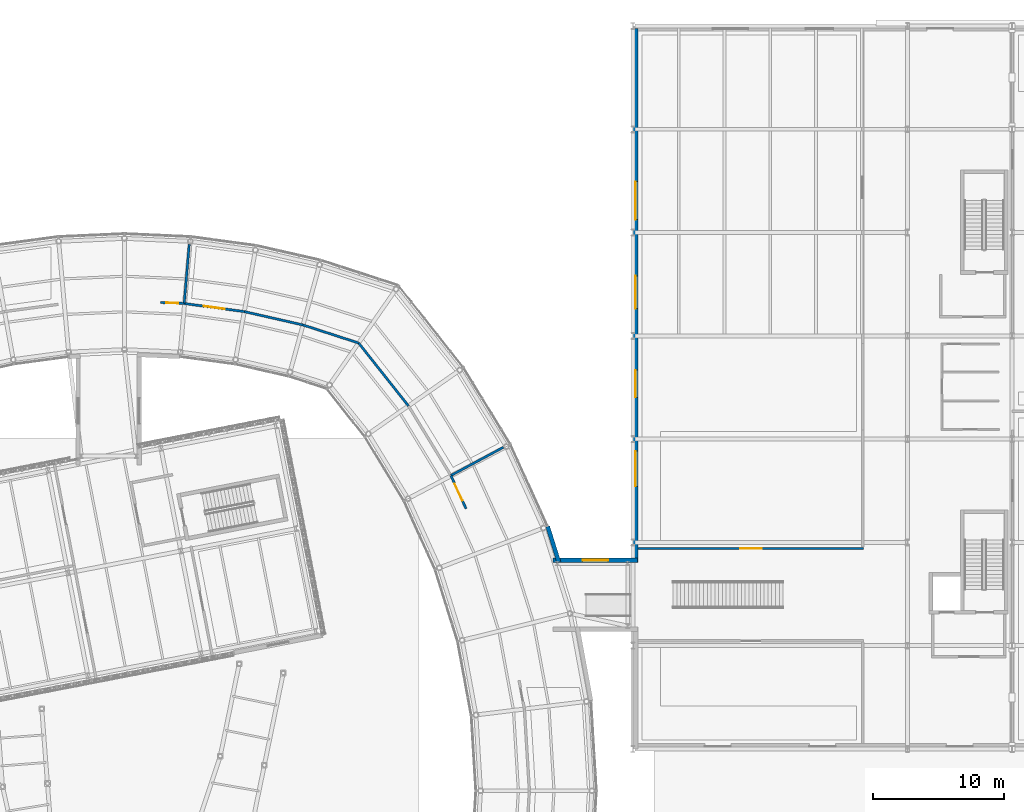
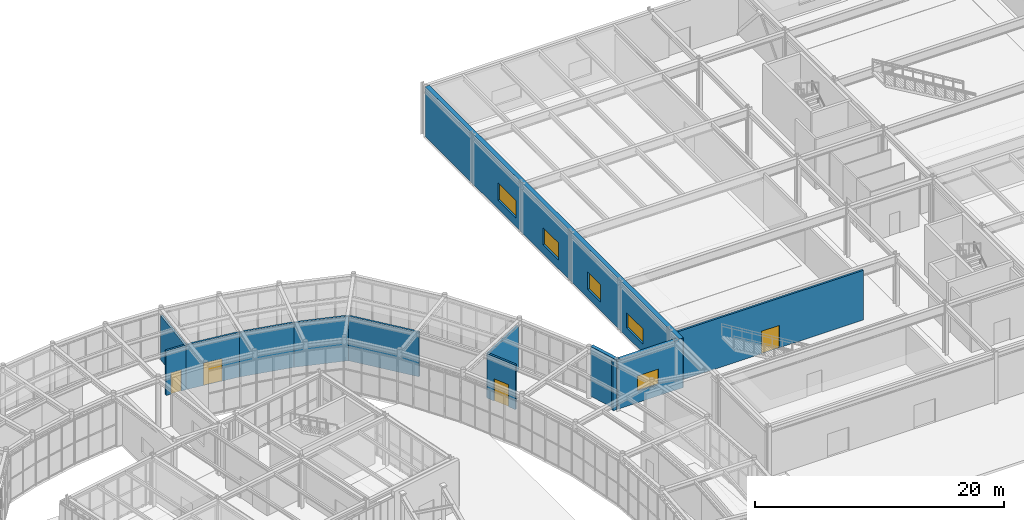
# One storey, part 77 of 97: 12 walls, 5 windows, 4 doors, 9 openings.
"""IFC4 building model written with IfcOpenShell, lengths in metres."""

from ifc_helpers import new_model, si_unit, direction, frame, frame_2d, origin, place, context, subcontext, project, spatial, rectangle, extrude, material, layer, layer_set, type_object, element, fill, save


model = new_model("IFC4")

# Units and contexts
model_context = context("Model", 3, precision=1e-05, world=origin(), true_north=direction((0.0, 1.0)))
body_context = subcontext(model_context, "Body", "Model", "MODEL_VIEW")
ifc_project = project(units=[si_unit("LENGTHUNIT", "METRE"), si_unit("AREAUNIT", "SQUARE_METRE"), si_unit("VOLUMEUNIT", "CUBIC_METRE"), si_unit("PLANEANGLEUNIT", "RADIAN"), si_unit("MASSUNIT", "GRAM", prefix="KILO")], contexts=[model_context])

# Site, building, storey
site_placement = place(None, origin())
site = spatial("IfcSite", under=ifc_project, at=site_placement, CompositionType="ELEMENT")
building_placement = place(site_placement, origin())
building = spatial("IfcBuilding", under=site, at=building_placement, Name="Varnklinge Art Gallery", CompositionType="ELEMENT")
storey_placement = place(building_placement, origin())
storey = spatial("IfcBuildingStorey", under=building, at=storey_placement, Name="L00", CompositionType="ELEMENT", Elevation=0.0)

# Wall
ifc_material_1 = material(Name="Precast concrete C40/50", Category="concrete")
ifc_layer_1 = layer(ifc_material_1, 0.320068359375)
ifc_layer_set_1 = layer_set([ifc_layer_1], Name="Precast concrete C40/50")
wall_type_1 = type_object("IfcWallType", Name="EW-32", PredefinedType="SOLIDWALL", material=ifc_layer_set_1)
wall_1_placement = place(storey_placement, frame((107.873291015625, 75.22216796875, 0.0), z_axis=(0.0, 0.0, 1.0), x_axis=(0.299744876306, -0.95401939662, 0.0)))
element("IfcWall", 1, at=wall_1_placement, inside=storey, type_object=wall_type_1, Name="EW-V2O-L00-K8-1", PredefinedType="SOLIDWALL", context=body_context, shape_type="SweptSolid", body=[
    extrude(rectangle(XDim=2.874267578125, YDim=0.320068359375, at=frame_2d((1.43701171875, 0.0))), origin(), (0.0, 0.0, 1.0), 4.8798828125),
])

# Wall, opening, window
wall_2_placement = place(storey_placement, frame((108.284423828125, 72.639892578125, 0.0), z_axis=(0.0, 0.0, 1.0), x_axis=(1.0, 0.0, 0.0)))
wall_2 = element("IfcWall", 2, at=wall_2_placement, inside=storey, type_object=wall_type_1, Name="L00 Gallery Link Wall EW-LNK-V1-L00-N", PredefinedType="SOLIDWALL", context=body_context, shape_type="SweptSolid", body=[
    extrude(rectangle(XDim=6.465576171875, YDim=0.320068359375, at=frame_2d((3.23291015625, 0.0))), origin(), (0.0, 0.0, 1.0), 4.820068359375),
])
opening_1_placement = place(wall_2_placement, frame((2.2578125, 0.0, 1.1201171875)))
opening_1 = element("IfcOpeningElement", 3, at=opening_1_placement, cuts=wall_2, Name="Opening WN-05", PredefinedType="OPENING", context=body_context, shape_type="SweptSolid", body=[
    extrude(rectangle(XDim=1.949951171875, YDim=1.5, at=frame_2d((0.97509765625, 0.75))), frame((0.0, 0.170166015625, 0.0), z_axis=(0.0, -1.0, 0.0), x_axis=(1.0, 0.0, 0.0)), (0.0, 0.0, 1.0), 0.340087890625),
])
ifc_material_2 = material(Name="Insulated Low-E Triple Glazing", Category="glass")
window_type_1 = type_object("IfcWindowType", Name="WN-05", PartitioningType="SINGLE_PANEL", PredefinedType="WINDOW", material=ifc_material_2)
window_1_placement = place(opening_1_placement, origin())
window_1 = element("IfcWindow", 4, at=window_1_placement, inside=storey, type_object=window_type_1, Name="L00 Window WIN-L00-210", OverallHeight=1.5, OverallWidth=1.949951171875, PartitioningType="SINGLE_PANEL", PredefinedType="WINDOW", context=body_context, shape_type="SweptSolid", body=[
    extrude(rectangle(XDim=1.949951171875, YDim=1.5, at=frame_2d((0.97509765625, 0.75))), frame((0.0, 0.030029296875, 0.0), z_axis=(0.0, -1.0, 0.0), x_axis=(1.0, 0.0, 0.0)), (0.0, 0.0, 1.0), 0.06005859375),
])
fill(opening_1, window_1)

# Wall, openings, windows
ifc_material_3 = material(Name="Concrete C45/55", Category="concrete")
ifc_layer_2 = layer(ifc_material_3, 0.39990234375)
ifc_layer_set_2 = layer_set([ifc_layer_2], Name="Concrete C45/55")
wall_type_2 = type_object("IfcWallType", Name="EW-40", PredefinedType="SOLIDWALL", material=ifc_layer_set_2)
wall_3_placement = place(storey_placement, frame((114.60009765625, 72.47998046875, 0.0), z_axis=(0.0, 0.0, 1.0), x_axis=(0.0, 1.0, 0.0)))
wall_3 = element("IfcWall", 5, at=wall_3_placement, inside=storey, type_object=wall_type_2, Name="L00 Exterior Wall EW-V1-L00-02", PredefinedType="SOLIDWALL", context=body_context, shape_type="SweptSolid", body=[
    extrude(rectangle(XDim=40.820068359375, YDim=0.39990234375, at=frame_2d((20.41015625, 0.0))), origin(), (0.0, 0.0, 1.0), 4.8798828125),
])
opening_2_placement = place(wall_3_placement, frame((5.80322265625, 0.0, 0.85009765625)))
opening_2 = element("IfcOpeningElement", 6, at=opening_2_placement, cuts=wall_3, Name="Opening WN-08", PredefinedType="OPENING", context=body_context, shape_type="SweptSolid", body=[
    extrude(rectangle(XDim=2.699951171875, YDim=1.5, at=frame_2d((1.35009765625, 0.75))), frame((0.0, 0.2099609375, 0.0), z_axis=(0.0, -1.0, 0.0), x_axis=(1.0, 0.0, 0.0)), (0.0, 0.0, 1.0), 0.419921875),
])
opening_3_placement = place(wall_3_placement, frame((12.606689453125, 0.0, 0.85009765625)))
opening_3 = element("IfcOpeningElement", 7, at=opening_3_placement, cuts=wall_3, Name="Opening WN-12", PredefinedType="OPENING", context=body_context, shape_type="SweptSolid", body=[
    extrude(rectangle(XDim=2.10009765625, YDim=1.699951171875, at=frame_2d((1.050048828125, 0.85009765625))), frame((0.0, 0.2099609375, 0.0), z_axis=(0.0, -1.0, 0.0), x_axis=(1.0, 0.0, 0.0)), (0.0, 0.0, 1.0), 0.419921875),
])
opening_4_placement = place(wall_3_placement, frame((19.409912109375, 0.0, 0.85009765625)))
opening_4 = element("IfcOpeningElement", 8, at=opening_4_placement, cuts=wall_3, Name="Opening WN-13", PredefinedType="OPENING", context=body_context, shape_type="SweptSolid", body=[
    extrude(rectangle(XDim=2.5, YDim=1.699951171875, at=frame_2d((1.25, 0.85009765625))), frame((0.0, 0.2099609375, 0.0), z_axis=(0.0, -1.0, 0.0), x_axis=(1.0, 0.0, 0.0)), (0.0, 0.0, 1.0), 0.419921875),
])
opening_5_placement = place(wall_3_placement, frame((26.21337890625, 0.0, 0.85009765625)))
opening_5 = element("IfcOpeningElement", 9, at=opening_5_placement, cuts=wall_3, Name="Opening WN-14", PredefinedType="OPENING", context=body_context, shape_type="SweptSolid", body=[
    extrude(rectangle(XDim=2.89990234375, YDim=1.699951171875, at=frame_2d((1.449951171875, 0.85009765625))), frame((0.0, 0.2099609375, 0.0), z_axis=(0.0, -1.0, 0.0), x_axis=(1.0, 0.0, 0.0)), (0.0, 0.0, 1.0), 0.419921875),
])
ifc_material_4 = material(Name="Insulated Low-E Triple Glazing", Category="glass")
window_type_2 = type_object("IfcWindowType", Name="WN-08", PartitioningType="SINGLE_PANEL", PredefinedType="WINDOW", material=ifc_material_4)
window_2_placement = place(opening_2_placement, origin())
window_2 = element("IfcWindow", 10, at=window_2_placement, inside=storey, type_object=window_type_2, Name="L00 Window WIN-L00-001", OverallHeight=1.5, OverallWidth=2.699951171875, PartitioningType="SINGLE_PANEL", PredefinedType="WINDOW", context=body_context, shape_type="SweptSolid", body=[
    extrude(rectangle(XDim=2.699951171875, YDim=1.5, at=frame_2d((1.35009765625, 0.75))), frame((0.0, 0.030029296875, 0.0), z_axis=(0.0, -1.0, 0.0), x_axis=(1.0, 0.0, 0.0)), (0.0, 0.0, 1.0), 0.06005859375),
])
fill(opening_2, window_2)
ifc_material_5 = material(Name="Insulated Low-E Triple Glazing", Category="glass")
window_type_3 = type_object("IfcWindowType", Name="WN-12", PartitioningType="SINGLE_PANEL", PredefinedType="WINDOW", material=ifc_material_5)
window_3_placement = place(opening_3_placement, origin())
window_3 = element("IfcWindow", 11, at=window_3_placement, inside=storey, type_object=window_type_3, Name="L00 Window WIN-L00-002", OverallHeight=1.699951171875, OverallWidth=2.10009765625, PartitioningType="SINGLE_PANEL", PredefinedType="WINDOW", context=body_context, shape_type="SweptSolid", body=[
    extrude(rectangle(XDim=2.10009765625, YDim=1.699951171875, at=frame_2d((1.050048828125, 0.85009765625))), frame((0.0, 0.030029296875, 0.0), z_axis=(0.0, -1.0, 0.0), x_axis=(1.0, 0.0, 0.0)), (0.0, 0.0, 1.0), 0.06005859375),
])
fill(opening_3, window_3)
ifc_material_6 = material(Name="Insulated Low-E Triple Glazing", Category="glass")
window_type_4 = type_object("IfcWindowType", Name="WN-13", PartitioningType="SINGLE_PANEL", PredefinedType="WINDOW", material=ifc_material_6)
window_4_placement = place(opening_4_placement, origin())
window_4 = element("IfcWindow", 12, at=window_4_placement, inside=storey, type_object=window_type_4, Name="L00 Window WIN-L00-003", OverallHeight=1.699951171875, OverallWidth=2.5, PartitioningType="SINGLE_PANEL", PredefinedType="WINDOW", context=body_context, shape_type="SweptSolid", body=[
    extrude(rectangle(XDim=2.5, YDim=1.699951171875, at=frame_2d((1.25, 0.85009765625))), frame((0.0, 0.030029296875, 0.0), z_axis=(0.0, -1.0, 0.0), x_axis=(1.0, 0.0, 0.0)), (0.0, 0.0, 1.0), 0.06005859375),
])
fill(opening_4, window_4)
ifc_material_7 = material(Name="Insulated Low-E Triple Glazing", Category="glass")
window_type_5 = type_object("IfcWindowType", Name="WN-14", PartitioningType="SINGLE_PANEL", PredefinedType="WINDOW", material=ifc_material_7)
window_5_placement = place(opening_5_placement, origin())
window_5 = element("IfcWindow", 13, at=window_5_placement, inside=storey, type_object=window_type_5, Name="L00 Window WIN-L00-004", OverallHeight=1.699951171875, OverallWidth=2.89990234375, PartitioningType="SINGLE_PANEL", PredefinedType="WINDOW", context=body_context, shape_type="SweptSolid", body=[
    extrude(rectangle(XDim=2.89990234375, YDim=1.699951171875, at=frame_2d((1.449951171875, 0.85009765625))), frame((0.0, 0.030029296875, 0.0), z_axis=(0.0, -1.0, 0.0), x_axis=(1.0, 0.0, 0.0)), (0.0, 0.0, 1.0), 0.06005859375),
])
fill(opening_5, window_5)

# Wall, opening, door
ifc_material_8 = material(Name="Gypsum Board Partition", Category="gypsum")
ifc_layer_3 = layer(ifc_material_8, 0.179931640625)
ifc_layer_set_3 = layer_set([ifc_layer_3], Name="Gypsum Board Partition")
wall_type_3 = type_object("IfcWallType", Name="IW-18", PredefinedType="PARTITIONING", material=ifc_layer_set_3)
wall_4_placement = place(storey_placement, frame((114.803955078125, 73.530029296875, 0.0), z_axis=(0.0, 0.0, 1.0), x_axis=(1.0, 0.0, 0.0)))
wall_4 = element("IfcWall", 14, at=wall_4_placement, inside=storey, type_object=wall_type_3, Name="L00 Partition Wall IW-L00-0039", PredefinedType="PARTITIONING", context=body_context, shape_type="SweptSolid", body=[
    extrude(rectangle(XDim=17.22607421875, YDim=0.179931640625, at=frame_2d((8.613037109375, 0.0))), origin(), (0.0, 0.0, 1.0), 4.8701171875),
])
opening_6_placement = place(wall_4_placement, frame((7.79296875, 0.0, 0.0)))
opening_6 = element("IfcOpeningElement", 15, at=opening_6_placement, cuts=wall_4, Name="Opening D-L00-132", PredefinedType="OPENING", context=body_context, shape_type="SweptSolid", body=[
    extrude(rectangle(XDim=1.639892578125, YDim=2.199951171875, at=frame_2d((0.81982421875, 1.10009765625))), frame((0.0, 0.099853515625, 0.0), z_axis=(0.0, -1.0, 0.0), x_axis=(1.0, 0.0, 0.0)), (0.0, 0.0, 1.0), 0.199951171875),
])
ifc_material_9 = material(Name="Oak Timber Leaf", Category="wood")
door_type_1 = type_object("IfcDoorType", Name="ID-08", OperationType="DOUBLE_DOOR_SINGLE_SWING", PredefinedType="DOOR", material=ifc_material_9)
door_1_placement = place(opening_6_placement, origin())
door_1 = element("IfcDoor", 16, at=door_1_placement, inside=storey, type_object=door_type_1, Name="L00 L00 Modern Painting Exhibition Gallery Door D-L00-132", OperationType="DOUBLE_DOOR_SINGLE_SWING", OverallHeight=2.199951171875, OverallWidth=1.639892578125, PredefinedType="DOOR", context=body_context, shape_type="SweptSolid", body=[
    extrude(rectangle(XDim=1.639892578125, YDim=2.199951171875, at=frame_2d((0.81982421875, 1.10009765625))), frame((0.0, 0.02490234375, 0.0), z_axis=(0.0, -1.0, 0.0), x_axis=(1.0, 0.0, 0.0)), (0.0, 0.0, 1.0), 0.050048828125),
])
fill(opening_6, door_1)

wall_5_placement = place(storey_placement, frame((100.47509765625, 79.11865234375, 0.0), z_axis=(0.0, 0.0, 1.0), x_axis=(0.414597499108, -0.910004897643, 0.0)))
wall_5 = element("IfcWall", 17, at=wall_5_placement, inside=storey, type_object=wall_type_3, Name="L00 Partition Wall IW-L00-0065", PredefinedType="PARTITIONING", context=body_context, shape_type="SweptSolid", body=[
    extrude(rectangle(XDim=2.800537109375, YDim=0.179931640625, at=frame_2d((1.400390625, 0.0))), origin(), (0.0, 0.0, 1.0), 4.3701171875),
])
opening_7_placement = place(wall_5_placement, frame((0.6904296875, 0.0, 0.0)))
opening_7 = element("IfcOpeningElement", 18, at=opening_7_placement, cuts=wall_5, Name="Opening D-L00-143", PredefinedType="OPENING", context=body_context, shape_type="SweptSolid", body=[
    extrude(rectangle(XDim=1.419921875, YDim=2.179931640625, at=frame_2d((0.7099609375, 1.08984375))), frame((0.0, 0.099853515625, 0.0), z_axis=(0.0, -1.0, 0.0), x_axis=(1.0, 0.0, 0.0)), (0.0, 0.0, 1.0), 0.199951171875),
])
ifc_material_10 = material(Name="Oak Timber Leaf", Category="wood")
door_type_2 = type_object("IfcDoorType", Name="ID-07", OperationType="DOUBLE_DOOR_SINGLE_SWING", PredefinedType="DOOR", material=ifc_material_10)
door_2_placement = place(opening_7_placement, origin())
door_2 = element("IfcDoor", 19, at=door_2_placement, inside=storey, type_object=door_type_2, Name="L00 L00 Northeast Ring Sculpture Gallery 2 Door D-L00-143", OperationType="DOUBLE_DOOR_SINGLE_SWING", OverallHeight=2.179931640625, OverallWidth=1.419921875, PredefinedType="DOOR", context=body_context, shape_type="SweptSolid", body=[
    extrude(rectangle(XDim=1.419921875, YDim=2.179931640625, at=frame_2d((0.7099609375, 1.08984375))), frame((0.0, 0.02490234375, 0.0), z_axis=(0.0, -1.0, 0.0), x_axis=(1.0, 0.0, 0.0)), (0.0, 0.0, 1.0), 0.050048828125),
])
fill(opening_7, door_2)

wall_6_placement = place(storey_placement, frame((80.072998046875, 92.272705078125, 0.0), z_axis=(0.0, 0.0, 1.0), x_axis=(0.991068153598, -0.133356345647, 0.0)))
wall_6 = element("IfcWall", 20, at=wall_6_placement, inside=storey, type_object=wall_type_3, Name="L00 Partition Wall IW-L00-0066", PredefinedType="PARTITIONING", context=body_context, shape_type="SweptSolid", body=[
    extrude(rectangle(XDim=4.63916015625, YDim=0.179931640625, at=frame_2d((2.319580078125, 0.0))), origin(), (0.0, 0.0, 1.0), 4.3701171875),
])
opening_8_placement = place(wall_6_placement, frame((1.49951171875, 0.0, 0.0)))
opening_8 = element("IfcOpeningElement", 21, at=opening_8_placement, cuts=wall_6, Name="Opening D-L00-144", PredefinedType="OPENING", context=body_context, shape_type="SweptSolid", body=[
    extrude(rectangle(XDim=1.639892578125, YDim=2.199951171875, at=frame_2d((0.81982421875, 1.10009765625))), frame((0.0, 0.099853515625, 0.0), z_axis=(0.0, -1.0, 0.0), x_axis=(1.0, 0.0, 0.0)), (0.0, 0.0, 1.0), 0.199951171875),
])
door_3_placement = place(opening_8_placement, origin())
door_3 = element("IfcDoor", 22, at=door_3_placement, inside=storey, type_object=door_type_1, Name="L00 L00 North Ring Photography Gallery Door D-L00-144", OperationType="DOUBLE_DOOR_SINGLE_SWING", OverallHeight=2.199951171875, OverallWidth=1.639892578125, PredefinedType="DOOR", context=body_context, shape_type="SweptSolid", body=[
    extrude(rectangle(XDim=1.639892578125, YDim=2.199951171875, at=frame_2d((0.81982421875, 1.10009765625))), frame((0.0, 0.02490234375, 0.0), z_axis=(0.0, -1.0, 0.0), x_axis=(1.0, 0.0, 0.0)), (0.0, 0.0, 1.0), 0.050048828125),
])
fill(opening_8, door_3)

# Walls
wall_7_placement = place(storey_placement, frame((84.670654296875, 91.654052734375, 0.0), z_axis=(0.0, 0.0, 1.0), x_axis=(0.975049979992, -0.221985442131, 0.0)))
element("IfcWall", 23, at=wall_7_placement, inside=storey, type_object=wall_type_3, Name="L00 Partition Wall IW-L00-0067", PredefinedType="PARTITIONING", context=body_context, shape_type="SweptSolid", body=[
    extrude(rectangle(XDim=4.60498046875, YDim=0.179931640625, at=frame_2d((2.302490234375, 0.0))), origin(), (0.0, 0.0, 1.0), 4.3701171875),
])
wall_8_placement = place(storey_placement, frame((89.16064453125, 90.6318359375, 0.0), z_axis=(0.0, 0.0, 1.0), x_axis=(0.95121156526, -0.308539394755, 0.0)))
element("IfcWall", 24, at=wall_8_placement, inside=storey, type_object=wall_type_3, Name="L00 Partition Wall IW-L00-0068", PredefinedType="PARTITIONING", context=body_context, shape_type="SweptSolid", body=[
    extrude(rectangle(XDim=4.473876953125, YDim=0.179931640625, at=frame_2d((2.23681640625, 0.0))), origin(), (0.0, 0.0, 1.0), 4.3701171875),
])
wall_9_placement = place(storey_placement, frame((93.416259765625, 89.25146484375, 0.0), z_axis=(0.0, 0.0, 1.0), x_axis=(0.620919863194, -0.783874048232, 0.0)))
element("IfcWall", 25, at=wall_9_placement, inside=storey, type_object=wall_type_3, Name="L00 Partition Wall IW-L00-0069", PredefinedType="PARTITIONING", context=body_context, shape_type="SweptSolid", body=[
    extrude(rectangle(XDim=6.1396484375, YDim=0.179931640625, at=frame_2d((3.06982421875, 0.0))), origin(), (0.0, 0.0, 1.0), 4.3701171875),
])

# Wall, opening, door
wall_10_placement = place(storey_placement, frame((78.27001953125, 92.353515625, 0.0), z_axis=(0.0, 0.0, 1.0), x_axis=(0.99899706853, -0.044775630289, 0.0)))
wall_10 = element("IfcWall", 26, at=wall_10_placement, inside=storey, type_object=wall_type_3, Name="L00 Partition Wall IW-L00-0074", PredefinedType="PARTITIONING", context=body_context, shape_type="SweptSolid", body=[
    extrude(rectangle(XDim=1.8046875, YDim=0.179931640625, at=frame_2d((0.90234375, 0.0))), origin(), (0.0, 0.0, 1.0), 4.3701171875),
])
opening_9_placement = place(wall_10_placement, frame((0.4423828125, 0.0, 0.0)))
opening_9 = element("IfcOpeningElement", 27, at=opening_9_placement, cuts=wall_10, Name="Opening D-L00-146", PredefinedType="OPENING", context=body_context, shape_type="SweptSolid", body=[
    extrude(rectangle(XDim=0.919921875, YDim=2.080078125, at=frame_2d((0.4599609375, 1.0400390625))), frame((0.0, 0.099853515625, 0.0), z_axis=(0.0, -1.0, 0.0), x_axis=(1.0, 0.0, 0.0)), (0.0, 0.0, 1.0), 0.199951171875),
])
ifc_material_11 = material(Name="Oak Timber Leaf", Category="wood")
door_type_3 = type_object("IfcDoorType", Name="ID-01", OperationType="SINGLE_SWING_LEFT", PredefinedType="DOOR", material=ifc_material_11)
door_4_placement = place(opening_9_placement, origin())
door_4 = element("IfcDoor", 28, at=door_4_placement, inside=storey, type_object=door_type_3, Name="L00 L00 Northwest Ring Reception Gallery 2 Door D-L00-146", OperationType="SINGLE_SWING_RIGHT", OverallHeight=2.080078125, OverallWidth=0.919921875, PredefinedType="DOOR", context=body_context, shape_type="SweptSolid", body=[
    extrude(rectangle(XDim=0.919921875, YDim=2.080078125, at=frame_2d((0.4599609375, 1.0400390625))), frame((0.0, 0.02490234375, 0.0), z_axis=(0.0, -1.0, 0.0), x_axis=(1.0, 0.0, 0.0)), (0.0, 0.0, 1.0), 0.050048828125),
])
fill(opening_9, door_4)

# Walls
wall_11_placement = place(storey_placement, frame((100.4755859375, 79.118896484375, 0.0), z_axis=(0.0, 0.0, 1.0), x_axis=(0.880691517808, 0.473690247379, 0.0)))
element("IfcWall", 29, at=wall_11_placement, inside=storey, type_object=wall_type_3, Name="L00 Partition Wall IW-L00-0138", PredefinedType="PARTITIONING", context=body_context, shape_type="SweptSolid", body=[
    extrude(rectangle(XDim=4.550537109375, YDim=0.179931640625, at=frame_2d((2.275390625, 0.0))), origin(), (0.0, 0.0, 1.0), 4.3701171875),
])
wall_12_placement = place(storey_placement, frame((80.072998046875, 92.273193359375, 0.0), z_axis=(0.0, 0.0, 1.0), x_axis=(0.084735134654, 0.996403511111, 0.0)))
element("IfcWall", 30, at=wall_12_placement, inside=storey, type_object=wall_type_3, Name="L00 Partition Wall IW-L00-0139", PredefinedType="PARTITIONING", context=body_context, shape_type="SweptSolid", body=[
    extrude(rectangle(XDim=4.543701171875, YDim=0.179931640625, at=frame_2d((2.27197265625, 0.0))), origin(), (0.0, 0.0, 1.0), 4.3701171875),
])

save(model, "model.ifc")
